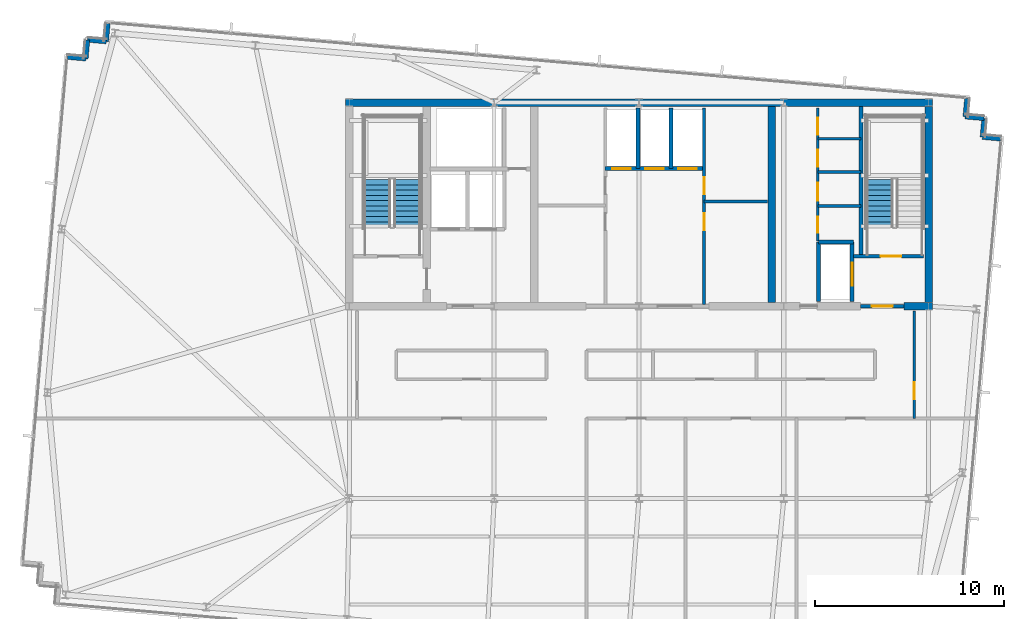
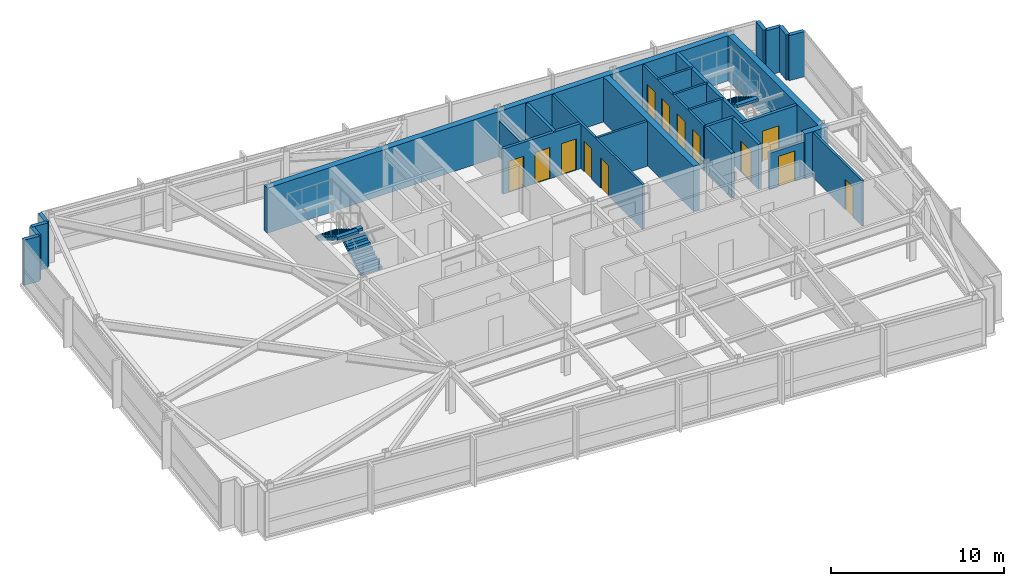
# One storey, part 19 of 24: 28 walls, 13 doors, 3 stair flights, 13 openings, 2 elements without a shape of their own.
"""IFC4 building model written with IfcOpenShell, lengths in metres."""

import ifcopenshell
import ifcopenshell.guid

model = None  # the IFC model being written
_history = None  # IfcOwnerHistory: only IFC2X3 demands one
_inside = {}  # id of a spatial element -> (the spatial element, [elements in it])
_under = {}  # id of a project, library or spatial element -> (it, [spatial elements below it])
_declared = {}  # id of a project -> (the project, [libraries it declares])
_typed = {}  # id of a type object -> (the type object, [elements of that type])
_made_of = {}  # id of a material, layer set ... -> (it, [elements and type objects made of it])


def new_model(schema):
    """Start an empty IFC model of exactly this schema.

    Asked for "IFC4X3", IfcOpenShell would pick the latest addendum, in which some entities
    have other attributes; the version numbers below select the first issue.
    IFC2X3 requires an IfcOwnerHistory on every rooted entity: one is made here for all.
    """
    global model, _history
    if schema == "IFC4X3":
        model = ifcopenshell.file(schema_version=(4, 3, 0, 0))
    else:
        model = ifcopenshell.file(schema=schema)
    _inside.clear()
    _under.clear()
    _declared.clear()
    _typed.clear()
    _made_of.clear()
    _history = None
    if model.schema == "IFC2X3":
        org = make("IfcOrganization", Name="unknown")
        user = make(
            "IfcPersonAndOrganization",
            ThePerson=make("IfcPerson", FamilyName="unknown"),
            TheOrganization=org,
        )
        app = make(
            "IfcApplication",
            ApplicationDeveloper=org,
            Version="unknown",
            ApplicationFullName="unknown",
            ApplicationIdentifier="unknown",
        )
        _history = make(
            "IfcOwnerHistory",
            OwningUser=user,
            OwningApplication=app,
            ChangeAction="ADDED",
            CreationDate=0,
        )
    return model


def make(cls, **values):
    """One entity of the class cls with the attributes given. An attribute that is None is left unset."""
    return model.create_entity(
        cls, **{name: value for name, value in values.items() if value is not None}
    )


def rooted(cls, **values):
    """An entity with a GlobalId (a new one), such as an element, a storey or a relation."""
    return make(cls, GlobalId=ifcopenshell.guid.new(), OwnerHistory=_history, **values)


def si_unit(unit_type, name, prefix=None):
    """IfcSIUnit, for example si_unit("LENGTHUNIT", "METRE", prefix="MILLI")."""
    return make("IfcSIUnit", UnitType=unit_type, Prefix=prefix, Name=name)


def assignment(units):
    """IfcUnitAssignment: the units of a project."""
    return None if units is None else make("IfcUnitAssignment", Units=units)


def point(xyz):
    """IfcCartesianPoint."""
    return None if xyz is None else make("IfcCartesianPoint", Coordinates=xyz)


def direction(xyz):
    """IfcDirection."""
    return None if xyz is None else make("IfcDirection", DirectionRatios=xyz)


def frame(location, z_axis=None, x_axis=None):
    """IfcAxis2Placement3D, a coordinate frame: its origin and axes. An axis left out is left unset."""
    return make(
        "IfcAxis2Placement3D",
        Location=point(location),
        Axis=direction(z_axis),
        RefDirection=direction(x_axis),
    )


def frame_2d(location, x_axis=None):
    """IfcAxis2Placement2D, a coordinate frame in the plane: its origin and x axis."""
    return make(
        "IfcAxis2Placement2D", Location=point(location), RefDirection=direction(x_axis)
    )


def origin():
    """The frame at (0, 0, 0) with its axes left unset."""
    return frame((0.0, 0.0, 0.0))


def place(relative_to, where):
    """IfcLocalPlacement: puts the frame where relative to a parent placement (None: the world)."""
    return make(
        "IfcLocalPlacement", PlacementRelTo=relative_to, RelativePlacement=where
    )


def context(
    kind, dimensions, precision=None, world=None, true_north=None, identifier=None
):
    """IfcGeometricRepresentationContext, for example the 3D "Model" context."""
    return make(
        "IfcGeometricRepresentationContext",
        ContextIdentifier=identifier,
        ContextType=kind,
        CoordinateSpaceDimension=dimensions,
        Precision=precision,
        WorldCoordinateSystem=world,
        TrueNorth=true_north,
    )


def subcontext(parent, identifier, kind, view, scale=None):
    """IfcGeometricRepresentationSubContext, for example "Body" below "Model"."""
    return make(
        "IfcGeometricRepresentationSubContext",
        ContextIdentifier=identifier,
        ContextType=kind,
        ParentContext=parent,
        TargetScale=scale,
        TargetView=view,
    )


def project(units=None, contexts=None):
    """IfcProject with its units and contexts."""
    return rooted(
        "IfcProject",
        Name="project",
        RepresentationContexts=contexts,
        UnitsInContext=assignment(units),
    )


def spatial(cls, under=None, at=None, **own):
    """A site, building, storey or space (cls), placed at a placement, below another one or the project."""
    s = rooted(cls, ObjectPlacement=at, **own)
    if under is not None:
        _under.setdefault(under.id(), (under, []))[1].append(s)
    return s


def polyline(points):
    """IfcPolyline through the points."""
    return make("IfcPolyline", Points=[point(p) for p in points])


def profile(cls, at=None, kind="AREA", **sizes):
    """A parametric profile (cls). Its sizes go by their IFC names, for example OverallWidth=200.0."""
    return make(cls, ProfileType=kind, Position=at, **sizes)


def rectangle(**sizes):
    """IfcRectangleProfileDef."""
    return profile("IfcRectangleProfileDef", **sizes)


def outline(outer, holes=None, kind="AREA"):
    """IfcArbitraryClosedProfileDef: a profile drawn as a closed curve; with holes, ...WithVoids."""
    if holes is None:
        return make("IfcArbitraryClosedProfileDef", ProfileType=kind, OuterCurve=outer)
    return make(
        "IfcArbitraryProfileDefWithVoids",
        ProfileType=kind,
        OuterCurve=outer,
        InnerCurves=holes,
    )


def extrude(swept, where, along, depth):
    """IfcExtrudedAreaSolid: the profile swept, set in the frame where, extruded along a direction by depth."""
    return make(
        "IfcExtrudedAreaSolid",
        SweptArea=swept,
        Position=where,
        ExtrudedDirection=direction(along),
        Depth=depth,
    )


def shape(context_of_items, identifier, shape_type, items):
    """IfcShapeRepresentation: the items that make up one representation, for example the "Body"."""
    return make(
        "IfcShapeRepresentation",
        ContextOfItems=context_of_items,
        RepresentationIdentifier=identifier,
        RepresentationType=shape_type,
        Items=items,
    )


def material(Name=None, Category=None):
    """IfcMaterial."""
    return make("IfcMaterial", Name=Name, Category=Category)


def layer(
    of_material, thickness, ventilated=None, Name=None, Category=None, Priority=None
):
    """IfcMaterialLayer: one layer of a wall or slab, of a material (None: an air gap)."""
    return make(
        "IfcMaterialLayer",
        Material=of_material,
        LayerThickness=thickness,
        IsVentilated=ventilated,
        Name=Name,
        Category=Category,
        Priority=Priority,
    )


def layer_set(layers, Name=None):
    """IfcMaterialLayerSet."""
    return make("IfcMaterialLayerSet", MaterialLayers=layers, LayerSetName=Name)


def made_of(thing, what):
    """Note that an element or type object is made of a material, layer set ...; save() writes the relation."""
    if what is not None:
        _made_of.setdefault(what.id(), (what, []))[1].append(thing)
    return thing


def type_object(cls, material=None, **own):
    """A type object (cls), such as IfcWallType, which elements share."""
    return made_of(rooted(cls, **own), material)


def element(
    cls,
    number,
    at=None,
    inside=None,
    cuts=None,
    type_object=None,
    material=None,
    context=None,
    identifier="Body",
    shape_type=None,
    held_by="IfcProductDefinitionShape",
    body=None,
    shapes=None,
    **own,
):
    """One element of the class cls, such as IfcWall. Its Tag is "e" and its number.

    at: its placement. inside: the storey or other place that contains it. cuts: it is an
    opening in that element (IfcRelVoidsElement). A single representation is given by context,
    identifier, shape_type and body (its items); several are given by shapes. held_by: the class
    of the entity that holds the representations. save() writes the other relations.
    """
    e = rooted(cls, Tag="e%d" % number, ObjectPlacement=at, **own)
    if body is not None:
        shapes = [shape(context, identifier, shape_type, body)]
    if shapes is not None:
        e.Representation = make(held_by, Representations=shapes)
    if inside is not None:
        _inside.setdefault(inside.id(), (inside, []))[1].append(e)
    if cuts is not None:
        rooted(
            "IfcRelVoidsElement", RelatingBuildingElement=cuts, RelatedOpeningElement=e
        )
    if type_object is not None:
        _typed.setdefault(type_object.id(), (type_object, []))[1].append(e)
    return made_of(e, material)


def fill(opening, filler):
    """IfcRelFillsElement: the door or window that sits in an opening."""
    return rooted(
        "IfcRelFillsElement",
        RelatingOpeningElement=opening,
        RelatedBuildingElement=filler,
    )


def aggregate(whole, parts):
    """IfcRelAggregates: a whole, such as a stair, and the parts it consists of."""
    return rooted("IfcRelAggregates", RelatingObject=whole, RelatedObjects=parts)


def save(model, path):
    """Write the relations noted so far, then the file.

    IfcRelAggregates (storeys below a building ...), IfcRelContainedInSpatialStructure (elements
    in a storey), IfcRelDefinesByType, IfcRelAssociatesMaterial and IfcRelDeclares: one each for
    every whole, place, type object, material and project.
    """
    for whole, parts in _under.values():
        aggregate(whole, parts)
    for where, things in _inside.values():
        rooted(
            "IfcRelContainedInSpatialStructure",
            RelatedElements=things,
            RelatingStructure=where,
        )
    for kind, things in _typed.values():
        rooted("IfcRelDefinesByType", RelatedObjects=things, RelatingType=kind)
    for what, things in _made_of.values():
        rooted("IfcRelAssociatesMaterial", RelatedObjects=things, RelatingMaterial=what)
    for by, libraries in _declared.values():
        rooted("IfcRelDeclares", RelatingContext=by, RelatedDefinitions=libraries)
    model.write(path)


model = new_model("IFC4")

# Units and contexts
model_context = context("Model", 3, precision=1e-05, world=origin(), true_north=direction((0.0, 1.0)))
body_context = subcontext(model_context, "Body", "Model", "MODEL_VIEW")
ifc_project = project(units=[si_unit("LENGTHUNIT", "METRE"), si_unit("AREAUNIT", "SQUARE_METRE"), si_unit("VOLUMEUNIT", "CUBIC_METRE"), si_unit("PLANEANGLEUNIT", "RADIAN"), si_unit("MASSUNIT", "GRAM", prefix="KILO")], contexts=[model_context])

# Site, building, storey
site_placement = place(None, origin())
site = spatial("IfcSite", under=ifc_project, at=site_placement, CompositionType="ELEMENT")
building_placement = place(site_placement, origin())
building = spatial("IfcBuilding", under=site, at=building_placement, Name="Yelkora Congress Tower", CompositionType="ELEMENT")
storey_placement = place(building_placement, frame((0.0, 0.0, 296.5)))
storey = spatial("IfcBuildingStorey", under=building, at=storey_placement, Name="L83", CompositionType="ELEMENT", Elevation=296.5)

# Walls
ifc_material_1 = material(Name="Concrete C50/60", Category="concrete")
ifc_layer_1 = layer(ifc_material_1, 0.219970703125)
ifc_layer_set_1 = layer_set([ifc_layer_1], Name="Concrete C50/60")
wall_type_1 = type_object("IfcWallType", Name="WALL-CORE-INT-220", PredefinedType="SHEAR", material=ifc_layer_set_1)
wall_1_placement = place(storey_placement, frame((50.179931640625, 38.050048828125, 0.0), z_axis=(0.0, 0.0, 1.0), x_axis=(0.0, 1.0, 0.0)))
element("IfcWall", 1, at=wall_1_placement, inside=storey, type_object=wall_type_1, Name="L83 ST02 West Stair Shear Wall", PredefinedType="SHEAR", context=body_context, shape_type="SweptSolid", body=[
    extrude(rectangle(XDim=7.949951171875, YDim=0.219970703125, at=frame_2d((3.97509765625, 0.0))), origin(), (0.0, 0.0, 1.0), 3.179931640625),
])
ifc_layer_2 = layer(ifc_material_1, 0.39990234375)
ifc_layer_set_2 = layer_set([ifc_layer_2], Name="Concrete C50/60")
wall_type_2 = type_object("IfcWallType", Name="WALL-CORE-INT-400", PredefinedType="SHEAR", material=ifc_layer_set_2)
wall_2_placement = place(storey_placement, frame((22.840087890625, 46.199951171875, 0.0), z_axis=(0.0, 0.0, 1.0), x_axis=(1.0, 0.0, 0.0)))
element("IfcWall", 2, at=wall_2_placement, inside=storey, type_object=wall_type_2, Name="L83 Rear Core North Shear Wall", PredefinedType="SHEAR", context=body_context, shape_type="SweptSolid", body=[
    extrude(rectangle(XDim=31.119873046875, YDim=0.39990234375, at=frame_2d((15.56005859375, 0.0))), origin(), (0.0, 0.0, 1.0), 3.179931640625),
])
wall_3_placement = place(storey_placement, frame((52.449951171875, 35.39990234375, 0.0), z_axis=(0.0, 0.0, 1.0), x_axis=(1.0, 0.0, 0.0)))
element("IfcWall", 3, at=wall_3_placement, inside=storey, type_object=wall_type_2, Name="L83 Rear Core South-East Shear Wall B", PredefinedType="SHEAR", context=body_context, shape_type="SweptSolid", body=[
    extrude(rectangle(XDim=1.510009765625, YDim=0.39990234375, at=frame_2d((0.7548828125, 0.0))), origin(), (0.0, 0.0, 1.0), 3.179931640625),
])
for number, where, z_axis, x_axis, name in (
    (4, (45.449951171875, 35.60009765625, 0.0), (0.0, 0.0, 1.0), (0.0, 1.0, 0.0), "L83 Rear Core Cross Shear Wall C3"),
    (5, (53.760009765625, 35.60009765625, 0.0), (0.0, 0.0, 1.0), (0.0, 1.0, 0.0), "L83 Rear Core Cross Shear Wall E"),
):
    element("IfcWall", number, at=place(storey_placement, frame(where, z_axis=z_axis, x_axis=x_axis)), inside=storey, type_object=wall_type_2, Name=name, PredefinedType="SHEAR", context=body_context, shape_type="SweptSolid", body=[
        extrude(rectangle(XDim=10.39990234375, YDim=0.39990234375, at=frame_2d((5.199951171875, 0.0))), origin(), (0.0, 0.0, 1.0), 3.179931640625),
    ])
ifc_material_2 = material(Name="Concrete C40/50", Category="concrete")
ifc_layer_3 = layer(ifc_material_2, 0.239990234375)
ifc_layer_set_3 = layer_set([ifc_layer_3], Name="Concrete C40/50")
wall_type_3 = type_object("IfcWallType", Name="WALL-EXT-LIMESTONE-240", PredefinedType="SOLIDWALL", material=ifc_layer_set_3)
for number, where, z_axis, x_axis, name in (
    (6, (8.0732421875, 48.609619140625, 0.0), (0.0, 0.0, 1.0), (0.996195572005, -0.087145753297, 0.0), "L83 Serrated Corner Limestone Pier 6"),
    (7, (9.069580078125, 48.5224609375, 0.0), (0.0, 0.0, 1.0), (0.087145753297, 0.996195572005, 0.0), "L83 Serrated Corner Limestone Pier 7"),
):
    element("IfcWall", number, at=place(storey_placement, frame(where, z_axis=z_axis, x_axis=x_axis)), inside=storey, type_object=wall_type_3, Name=name, PredefinedType="SOLIDWALL", context=body_context, shape_type="SweptSolid", body=[
        extrude(rectangle(XDim=1.000244140625, YDim=0.239990234375, at=frame_2d((0.5, 0.0))), origin(), (0.0, 0.0, 1.0), 3.179931640625),
    ])
for number, where, z_axis, x_axis, name in (
    (8, (9.15673828125, 49.518798828125, 0.0), (0.0, 0.0, 1.0), (0.996193717496, -0.087166950281, 0.0), "L83 Serrated Corner Limestone Pier 8"),
    (9, (10.15283203125, 49.431640625, 0.0), (0.0, 0.0, 1.0), (0.087166950281, 0.996193717496, 0.0), "L83 Serrated Corner Limestone Pier 9"),
    (10, (55.785888671875, 46.443115234375, 0.0), (0.0, 0.0, 1.0), (-0.086903493655, -0.996216734848, 0.0), "L83 Serrated Corner Limestone Pier 11"),
    (11, (55.698974609375, 45.44677734375, 0.0), (0.0, 0.0, 1.0), (0.996193717496, -0.087166950281, 0.0), "L83 Serrated Corner Limestone Pier 12"),
    (12, (56.695068359375, 45.359619140625, 0.0), (0.0, 0.0, 1.0), (-0.087166950281, -0.996193717496, 0.0), "L83 Serrated Corner Limestone Pier 13"),
    (13, (56.60791015625, 44.363525390625, 0.0), (0.0, 0.0, 1.0), (0.996193717496, -0.087166950281, 0.0), "L83 Serrated Corner Limestone Pier 14"),
):
    element("IfcWall", number, at=place(storey_placement, frame(where, z_axis=z_axis, x_axis=x_axis)), inside=storey, type_object=wall_type_3, Name=name, PredefinedType="SOLIDWALL", context=body_context, shape_type="SweptSolid", body=[
        extrude(rectangle(XDim=1.0, YDim=0.239990234375, at=frame_2d((0.5, 0.0))), origin(), (0.0, 0.0, 1.0), 3.179931640625),
    ])
ifc_material_3 = material(Name="Acoustic metal-stud gypsum partition", Category="gypsum")
ifc_layer_4 = layer(ifc_material_3, 0.14990234375)
ifc_layer_set_4 = layer_set([ifc_layer_4], Name="Acoustic metal-stud gypsum partition")
wall_type_4 = type_object("IfcWallType", Name="WALL-INT-150-NR", PredefinedType="PARTITIONING", material=ifc_layer_set_4)
for number, where, z_axis, x_axis, name in (
    (14, (47.8798828125, 40.719970703125, 0.0), (0.0, 0.0, 1.0), (1.0, 0.0, 0.0), "L83 Partition Wall 20"),
    (15, (47.8798828125, 42.52001953125, 0.0), (0.0, 0.0, 1.0), (1.0, 0.0, 0.0), "L83 Partition Wall 21"),
    (16, (47.8798828125, 44.280029296875, 0.0), (0.0, 0.0, 1.0), (1.0, 0.0, 0.0), "L83 Partition Wall 22"),
):
    element("IfcWall", number, at=place(storey_placement, frame(where, z_axis=z_axis, x_axis=x_axis)), inside=storey, type_object=wall_type_4, Name=name, PredefinedType="PARTITIONING", context=body_context, shape_type="SweptSolid", body=[
        extrude(rectangle(XDim=2.300048828125, YDim=0.14990234375, at=frame_2d((1.14990234375, 0.0))), origin(), (0.0, 0.0, 1.0), 3.179931640625),
    ])

# Wall, openings, doors
wall_4_placement = place(storey_placement, frame((47.8798828125, 38.85009765625, 0.0), z_axis=(0.0, 0.0, 1.0), x_axis=(0.0, 1.0, 0.0)))
wall_4 = element("IfcWall", 17, at=wall_4_placement, inside=storey, type_object=wall_type_4, Name="L83 Partition Wall 23", PredefinedType="PARTITIONING", context=body_context, shape_type="SweptSolid", body=[
    extrude(rectangle(XDim=7.06982421875, YDim=0.14990234375, at=frame_2d((3.534912109375, 0.0))), origin(), (0.0, 0.0, 1.0), 3.179931640625),
])
opening_1_placement = place(wall_4_placement, frame((0.449951171875, 0.0, 0.0)))
opening_1 = element("IfcOpeningElement", 18, at=opening_1_placement, cuts=wall_4, Name="Opening DR-085N", PredefinedType="OPENING", context=body_context, shape_type="SweptSolid", body=[
    extrude(rectangle(XDim=0.85009765625, YDim=2.14990234375, at=frame_2d((0.425048828125, 1.074951171875))), frame((0.0, 0.0849609375, 0.0), z_axis=(0.0, -1.0, 0.0), x_axis=(1.0, 0.0, 0.0)), (0.0, 0.0, 1.0), 0.169921875),
])
opening_2_placement = place(wall_4_placement, frame((2.14990234375, 0.0, 0.0)))
opening_2 = element("IfcOpeningElement", 19, at=opening_2_placement, cuts=wall_4, Name="Opening DR-095N", PredefinedType="OPENING", context=body_context, shape_type="SweptSolid", body=[
    extrude(rectangle(XDim=0.949951171875, YDim=2.14990234375, at=frame_2d((0.47509765625, 1.074951171875))), frame((0.0, 0.0849609375, 0.0), z_axis=(0.0, -1.0, 0.0), x_axis=(1.0, 0.0, 0.0)), (0.0, 0.0, 1.0), 0.169921875),
])
opening_3_placement = place(wall_4_placement, frame((3.949951171875, 0.0, 0.0)))
opening_3 = element("IfcOpeningElement", 20, at=opening_3_placement, cuts=wall_4, Name="Opening DR-090N", PredefinedType="OPENING", context=body_context, shape_type="SweptSolid", body=[
    extrude(rectangle(XDim=0.89990234375, YDim=2.14990234375, at=frame_2d((0.449951171875, 1.074951171875))), frame((0.0, 0.0849609375, 0.0), z_axis=(0.0, -1.0, 0.0), x_axis=(1.0, 0.0, 0.0)), (0.0, 0.0, 1.0), 0.169921875),
])
opening_4_placement = place(wall_4_placement, frame((5.64990234375, 0.0, 0.0)))
opening_4 = element("IfcOpeningElement", 21, at=opening_4_placement, cuts=wall_4, Name="Opening DR-090N", PredefinedType="OPENING", context=body_context, shape_type="SweptSolid", body=[
    extrude(rectangle(XDim=0.89990234375, YDim=2.14990234375, at=frame_2d((0.449951171875, 1.074951171875))), frame((0.0, 0.0849609375, 0.0), z_axis=(0.0, -1.0, 0.0), x_axis=(1.0, 0.0, 0.0)), (0.0, 0.0, 1.0), 0.169921875),
])
ifc_material_4 = material(Name="Laminate service store door leaf", Category="wood")
door_type_1 = type_object("IfcDoorType", Name="DOOR-INT-850", OperationType="NOTDEFINED", PredefinedType="DOOR", material=ifc_material_4)
door_1_placement = place(opening_1_placement, origin())
door_1 = element("IfcDoor", 22, at=door_1_placement, inside=storey, type_object=door_type_1, Name="L83 Janitor Room Door", OperationType="SINGLE_SWING_LEFT", OverallHeight=2.14990234375, OverallWidth=0.85009765625, PredefinedType="DOOR", context=body_context, shape_type="SweptSolid", body=[
    extrude(rectangle(XDim=0.85009765625, YDim=2.14990234375, at=frame_2d((0.425048828125, 1.074951171875))), frame((0.0, 0.02490234375, 0.0), z_axis=(0.0, -1.0, 0.0), x_axis=(1.0, 0.0, 0.0)), (0.0, 0.0, 1.0), 0.050048828125),
])
fill(opening_1, door_1)
ifc_material_5 = material(Name="Moisture-resistant laminate door leaf", Category="wood")
door_type_2 = type_object("IfcDoorType", Name="DOOR-INT-900", OperationType="NOTDEFINED", PredefinedType="DOOR", material=ifc_material_5)
door_2_placement = place(opening_3_placement, origin())
door_2 = element("IfcDoor", 23, at=door_2_placement, inside=storey, type_object=door_type_2, Name="L83 Male WC Door", OperationType="SINGLE_SWING_LEFT", OverallHeight=2.14990234375, OverallWidth=0.89990234375, PredefinedType="DOOR", context=body_context, shape_type="SweptSolid", body=[
    extrude(rectangle(XDim=0.89990234375, YDim=2.14990234375, at=frame_2d((0.449951171875, 1.074951171875))), frame((0.0, 0.02490234375, 0.0), z_axis=(0.0, -1.0, 0.0), x_axis=(1.0, 0.0, 0.0)), (0.0, 0.0, 1.0), 0.050048828125),
])
fill(opening_3, door_2)
door_3_placement = place(opening_4_placement, origin())
door_3 = element("IfcDoor", 24, at=door_3_placement, inside=storey, type_object=door_type_2, Name="L83 Female WC Door", OperationType="SINGLE_SWING_RIGHT", OverallHeight=2.14990234375, OverallWidth=0.89990234375, PredefinedType="DOOR", context=body_context, shape_type="SweptSolid", body=[
    extrude(rectangle(XDim=0.89990234375, YDim=2.14990234375, at=frame_2d((0.449951171875, 1.074951171875))), frame((0.0, 0.02490234375, 0.0), z_axis=(0.0, -1.0, 0.0), x_axis=(1.0, 0.0, 0.0)), (0.0, 0.0, 1.0), 0.050048828125),
])
fill(opening_4, door_3)
ifc_material_6 = material(Name="Acoustic laminated timber office door", Category="wood")
door_type_3 = type_object("IfcDoorType", Name="DOOR-INT-950", OperationType="NOTDEFINED", PredefinedType="DOOR", material=ifc_material_6)
door_4_placement = place(opening_2_placement, origin())
door_4 = element("IfcDoor", 25, at=door_4_placement, inside=storey, type_object=door_type_3, Name="L83 Accessible WC Door", OperationType="SINGLE_SWING_RIGHT", OverallHeight=2.14990234375, OverallWidth=0.949951171875, PredefinedType="DOOR", context=body_context, shape_type="SweptSolid", body=[
    extrude(rectangle(XDim=0.949951171875, YDim=2.14990234375, at=frame_2d((0.47509765625, 1.074951171875))), frame((0.0, 0.02490234375, 0.0), z_axis=(0.0, -1.0, 0.0), x_axis=(1.0, 0.0, 0.0)), (0.0, 0.0, 1.0), 0.050048828125),
])
fill(opening_2, door_4)

# Wall, opening, door
wall_5_placement = place(storey_placement, frame((53.0, 29.449951171875, 0.0), z_axis=(0.0, 0.0, 1.0), x_axis=(0.0, 1.0, 0.0)))
wall_5 = element("IfcWall", 26, at=wall_5_placement, inside=storey, type_object=wall_type_4, Name="L83 Partition Wall 30", PredefinedType="PARTITIONING", context=body_context, shape_type="SweptSolid", body=[
    extrude(rectangle(XDim=5.68994140625, YDim=0.14990234375, at=frame_2d((2.844970703125, 0.0))), origin(), (0.0, 0.0, 1.0), 3.179931640625),
])
opening_5_placement = place(wall_5_placement, frame((1.030029296875, 0.0, 0.0)))
opening_5 = element("IfcOpeningElement", 27, at=opening_5_placement, cuts=wall_5, Name="Opening DR-090N", PredefinedType="OPENING", context=body_context, shape_type="SweptSolid", body=[
    extrude(rectangle(XDim=0.89990234375, YDim=2.14990234375, at=frame_2d((0.449951171875, 1.074951171875))), frame((0.0, 0.0849609375, 0.0), z_axis=(0.0, -1.0, 0.0), x_axis=(1.0, 0.0, 0.0)), (0.0, 0.0, 1.0), 0.169921875),
])
door_5_placement = place(opening_5_placement, origin())
door_5 = element("IfcDoor", 28, at=door_5_placement, inside=storey, type_object=door_type_2, Name="L83 E Wing Door", OperationType="SINGLE_SWING_RIGHT", OverallHeight=2.14990234375, OverallWidth=0.89990234375, PredefinedType="DOOR", context=body_context, shape_type="SweptSolid", body=[
    extrude(rectangle(XDim=0.89990234375, YDim=2.14990234375, at=frame_2d((0.449951171875, 1.074951171875))), frame((0.0, 0.02490234375, 0.0), z_axis=(0.0, -1.0, 0.0), x_axis=(1.0, 0.0, 0.0)), (0.0, 0.0, 1.0), 0.050048828125),
])
fill(opening_5, door_5)

# Wall
ifc_material_7 = material(Name="Twin-stud fire-rated gypsum partition", Category="gypsum")
ifc_layer_5 = layer(ifc_material_7, 0.14990234375)
ifc_layer_set_5 = layer_set([ifc_layer_5], Name="Twin-stud fire-rated gypsum partition")
wall_type_5 = type_object("IfcWallType", Name="WALL-INT-150-R60", PredefinedType="PARTITIONING", material=ifc_layer_set_5)
wall_6_placement = place(storey_placement, frame((41.85009765625, 40.949951171875, 0.0), z_axis=(0.0, 0.0, 1.0), x_axis=(1.0, 0.0, 0.0)))
element("IfcWall", 29, at=wall_6_placement, inside=storey, type_object=wall_type_5, Name="L83 Partition Wall 13", PredefinedType="PARTITIONING", context=body_context, shape_type="SweptSolid", body=[
    extrude(rectangle(XDim=3.369873046875, YDim=0.14990234375, at=frame_2d((1.68505859375, 0.0))), origin(), (0.0, 0.0, 1.0), 3.179931640625),
])

# Wall, openings, doors
wall_7_placement = place(storey_placement, frame((41.85009765625, 35.5, 0.0), z_axis=(0.0, 0.0, 1.0), x_axis=(0.0, 1.0, 0.0)))
wall_7 = element("IfcWall", 30, at=wall_7_placement, inside=storey, type_object=wall_type_5, Name="L83 Partition Wall 14", PredefinedType="PARTITIONING", context=body_context, shape_type="SweptSolid", body=[
    extrude(rectangle(XDim=10.419921875, YDim=0.14990234375, at=frame_2d((5.2099609375, 0.0))), origin(), (0.0, 0.0, 1.0), 3.179931640625),
])
opening_6_placement = place(wall_7_placement, frame((3.919921875, 0.0, 0.0)))
opening_6 = element("IfcOpeningElement", 31, at=opening_6_placement, cuts=wall_7, Name="Opening DR-090F6", PredefinedType="OPENING", context=body_context, shape_type="SweptSolid", body=[
    extrude(rectangle(XDim=0.89990234375, YDim=2.14990234375, at=frame_2d((0.449951171875, 1.074951171875))), frame((0.0, 0.0849609375, 0.0), z_axis=(0.0, -1.0, 0.0), x_axis=(1.0, 0.0, 0.0)), (0.0, 0.0, 1.0), 0.169921875),
])
opening_7_placement = place(wall_7_placement, frame((5.85009765625, 0.0, 0.0)))
opening_7 = element("IfcOpeningElement", 32, at=opening_7_placement, cuts=wall_7, Name="Opening DR-090F6", PredefinedType="OPENING", context=body_context, shape_type="SweptSolid", body=[
    extrude(rectangle(XDim=0.89990234375, YDim=2.14990234375, at=frame_2d((0.449951171875, 1.074951171875))), frame((0.0, 0.0849609375, 0.0), z_axis=(0.0, -1.0, 0.0), x_axis=(1.0, 0.0, 0.0)), (0.0, 0.0, 1.0), 0.169921875),
])
ifc_material_8 = material(Name="Painted steel riser fire door leaf", Category="steel")
door_type_4 = type_object("IfcDoorType", Name="DOOR-FD60-900", OperationType="NOTDEFINED", PredefinedType="DOOR", material=ifc_material_8)
door_6_placement = place(opening_6_placement, origin())
door_6 = element("IfcDoor", 33, at=door_6_placement, inside=storey, type_object=door_type_4, Name="L83 High-Zone BMS Door", OperationType="SINGLE_SWING_RIGHT", OverallHeight=2.14990234375, OverallWidth=0.89990234375, PredefinedType="DOOR", context=body_context, shape_type="SweptSolid", body=[
    extrude(rectangle(XDim=0.89990234375, YDim=2.14990234375, at=frame_2d((0.449951171875, 1.074951171875))), frame((0.0, 0.02490234375, 0.0), z_axis=(0.0, -1.0, 0.0), x_axis=(1.0, 0.0, 0.0)), (0.0, 0.0, 1.0), 0.050048828125),
])
fill(opening_6, door_6)
door_7_placement = place(opening_7_placement, origin())
door_7 = element("IfcDoor", 34, at=door_7_placement, inside=storey, type_object=door_type_4, Name="L83 Linen Store Door", OperationType="SINGLE_SWING_LEFT", OverallHeight=2.14990234375, OverallWidth=0.89990234375, PredefinedType="DOOR", context=body_context, shape_type="SweptSolid", body=[
    extrude(rectangle(XDim=0.89990234375, YDim=2.14990234375, at=frame_2d((0.449951171875, 1.074951171875))), frame((0.0, 0.02490234375, 0.0), z_axis=(0.0, -1.0, 0.0), x_axis=(1.0, 0.0, 0.0)), (0.0, 0.0, 1.0), 0.050048828125),
])
fill(opening_7, door_7)

ifc_material_9 = material(Name="Autoclaved aerated concrete blockwork", Category="masonry")
ifc_layer_6 = layer(ifc_material_9, 0.199951171875)
ifc_layer_set_6 = layer_set([ifc_layer_6], Name="Autoclaved aerated concrete blockwork")
wall_type_6 = type_object("IfcWallType", Name="WALL-INT-200-R120", PredefinedType="PARTITIONING", material=ifc_layer_set_6)
wall_8_placement = place(storey_placement, frame((36.60009765625, 42.699951171875, 0.0), z_axis=(0.0, 0.0, 1.0), x_axis=(1.0, 0.0, 0.0)))
wall_8 = element("IfcWall", 35, at=wall_8_placement, inside=storey, type_object=wall_type_6, Name="L83 Partition Wall 8", PredefinedType="PARTITIONING", context=body_context, shape_type="SweptSolid", body=[
    extrude(rectangle(XDim=5.25, YDim=0.199951171875, at=frame_2d((2.625, 0.0))), origin(), (0.0, 0.0, 1.0), 3.179931640625),
])
opening_8_placement = place(wall_8_placement, frame((0.375, 0.0, 0.0)))
opening_8 = element("IfcOpeningElement", 36, at=opening_8_placement, cuts=wall_8, Name="Opening LD-PS10", PredefinedType="OPENING", context=body_context, shape_type="SweptSolid", body=[
    extrude(rectangle(XDim=1.0, YDim=2.199951171875, at=frame_2d((0.5, 1.10009765625))), frame((0.0, 0.10986328125, 0.0), z_axis=(0.0, -1.0, 0.0), x_axis=(1.0, 0.0, 0.0)), (0.0, 0.0, 1.0), 0.219970703125),
])
opening_9_placement = place(wall_8_placement, frame((2.125, 0.0, 0.0)))
opening_9 = element("IfcOpeningElement", 37, at=opening_9_placement, cuts=wall_8, Name="Opening LD-PS10", PredefinedType="OPENING", context=body_context, shape_type="SweptSolid", body=[
    extrude(rectangle(XDim=1.0, YDim=2.199951171875, at=frame_2d((0.5, 1.10009765625))), frame((0.0, 0.10986328125, 0.0), z_axis=(0.0, -1.0, 0.0), x_axis=(1.0, 0.0, 0.0)), (0.0, 0.0, 1.0), 0.219970703125),
])
opening_10_placement = place(wall_8_placement, frame((3.875, 0.0, 0.0)))
opening_10 = element("IfcOpeningElement", 38, at=opening_10_placement, cuts=wall_8, Name="Opening LD-PS10", PredefinedType="OPENING", context=body_context, shape_type="SweptSolid", body=[
    extrude(rectangle(XDim=1.0, YDim=2.199951171875, at=frame_2d((0.5, 1.10009765625))), frame((0.0, 0.10986328125, 0.0), z_axis=(0.0, -1.0, 0.0), x_axis=(1.0, 0.0, 0.0)), (0.0, 0.0, 1.0), 0.219970703125),
])
ifc_material_10 = material(Name="Champagne stainless steel landing door", Category="steel")
door_type_5 = type_object("IfcDoorType", Name="DOOR-LIFT-PAS-1000", OperationType="DOUBLE_DOOR_SLIDING", PredefinedType="DOOR", material=ifc_material_10)
door_8_placement = place(opening_8_placement, origin())
door_8 = element("IfcDoor", 39, at=door_8_placement, inside=storey, type_object=door_type_5, Name="Lift Landing Door LF-P9 L83", OperationType="DOUBLE_DOOR_SLIDING", OverallHeight=2.199951171875, OverallWidth=1.0, PredefinedType="DOOR", context=body_context, shape_type="SweptSolid", body=[
    extrude(rectangle(XDim=1.0, YDim=2.199951171875, at=frame_2d((0.5, 1.10009765625))), frame((0.0, 0.02490234375, 0.0), z_axis=(0.0, -1.0, 0.0), x_axis=(1.0, 0.0, 0.0)), (0.0, 0.0, 1.0), 0.050048828125),
])
fill(opening_8, door_8)
door_9_placement = place(opening_9_placement, origin())
door_9 = element("IfcDoor", 40, at=door_9_placement, inside=storey, type_object=door_type_5, Name="Lift Landing Door LF-P10 L83", OperationType="DOUBLE_DOOR_SLIDING", OverallHeight=2.199951171875, OverallWidth=1.0, PredefinedType="DOOR", context=body_context, shape_type="SweptSolid", body=[
    extrude(rectangle(XDim=1.0, YDim=2.199951171875, at=frame_2d((0.5, 1.10009765625))), frame((0.0, 0.02490234375, 0.0), z_axis=(0.0, -1.0, 0.0), x_axis=(1.0, 0.0, 0.0)), (0.0, 0.0, 1.0), 0.050048828125),
])
fill(opening_9, door_9)
door_10_placement = place(opening_10_placement, origin())
door_10 = element("IfcDoor", 41, at=door_10_placement, inside=storey, type_object=door_type_5, Name="Lift Landing Door LF-P11 L83", OperationType="DOUBLE_DOOR_SLIDING", OverallHeight=2.199951171875, OverallWidth=1.0, PredefinedType="DOOR", context=body_context, shape_type="SweptSolid", body=[
    extrude(rectangle(XDim=1.0, YDim=2.199951171875, at=frame_2d((0.5, 1.10009765625))), frame((0.0, 0.02490234375, 0.0), z_axis=(0.0, -1.0, 0.0), x_axis=(1.0, 0.0, 0.0)), (0.0, 0.0, 1.0), 0.050048828125),
])
fill(opening_10, door_10)

# Walls
wall_9_placement = place(storey_placement, frame((38.35009765625, 42.699951171875, 0.0), z_axis=(0.0, 0.0, 1.0), x_axis=(0.0, 1.0, 0.0)))
element("IfcWall", 42, at=wall_9_placement, inside=storey, type_object=wall_type_6, Name="L83 Partition Wall 9", PredefinedType="PARTITIONING", context=body_context, shape_type="SweptSolid", body=[
    extrude(rectangle(XDim=3.219970703125, YDim=0.199951171875, at=frame_2d((1.60986328125, 0.0))), origin(), (0.0, 0.0, 1.0), 2.574951171875),
])
wall_10_placement = place(storey_placement, frame((40.10009765625, 42.699951171875, 0.0), z_axis=(0.0, 0.0, 1.0), x_axis=(0.0, 1.0, 0.0)))
element("IfcWall", 43, at=wall_10_placement, inside=storey, type_object=wall_type_6, Name="L83 Partition Wall 10", PredefinedType="PARTITIONING", context=body_context, shape_type="SweptSolid", body=[
    extrude(rectangle(XDim=3.219970703125, YDim=0.199951171875, at=frame_2d((1.60986328125, 0.0))), origin(), (0.0, 0.0, 1.0), 3.179931640625),
])

# Wall, opening, door
wall_11_placement = place(storey_placement, frame((49.780029296875, 38.050048828125, 0.0), z_axis=(0.0, 0.0, 1.0), x_axis=(1.0, 0.0, 0.0)))
wall_11 = element("IfcWall", 44, at=wall_11_placement, inside=storey, type_object=wall_type_6, Name="L83 Stair ST-02 Enclosure Wall", PredefinedType="PARTITIONING", context=body_context, shape_type="SweptSolid", body=[
    extrude(rectangle(XDim=3.719970703125, YDim=0.199951171875, at=frame_2d((1.85986328125, 0.0))), origin(), (0.0, 0.0, 1.0), 3.179931640625),
])
opening_11_placement = place(wall_11_placement, frame((1.436279296875, 0.0, 0.0)))
opening_11 = element("IfcOpeningElement", 45, at=opening_11_placement, cuts=wall_11, Name="Opening DR-110F9", PredefinedType="OPENING", context=body_context, shape_type="SweptSolid", body=[
    extrude(rectangle(XDim=1.10009765625, YDim=2.14990234375, at=frame_2d((0.550048828125, 1.074951171875))), frame((0.0, 0.10986328125, 0.0), z_axis=(0.0, -1.0, 0.0), x_axis=(1.0, 0.0, 0.0)), (0.0, 0.0, 1.0), 0.219970703125),
])
ifc_material_11 = material(Name="Galvanised steel fire door leaf", Category="steel")
door_type_6 = type_object("IfcDoorType", Name="DOOR-FD90-1100", OperationType="NOTDEFINED", PredefinedType="DOOR", material=ifc_material_11)
door_11_placement = place(opening_11_placement, origin())
door_11 = element("IfcDoor", 46, at=door_11_placement, inside=storey, type_object=door_type_6, Name="L83 Stair ST-02 Entry Door", OperationType="SINGLE_SWING_RIGHT", OverallHeight=2.14990234375, OverallWidth=1.10009765625, PredefinedType="DOOR", context=body_context, shape_type="SweptSolid", body=[
    extrude(rectangle(XDim=1.10009765625, YDim=2.14990234375, at=frame_2d((0.550048828125, 1.074951171875))), frame((0.0, 0.02490234375, 0.0), z_axis=(0.0, -1.0, 0.0), x_axis=(1.0, 0.0, 0.0)), (0.0, 0.0, 1.0), 0.050048828125),
])
fill(opening_11, door_11)

wall_12_placement = place(storey_placement, frame((50.14990234375, 35.39990234375, 0.0), z_axis=(0.0, 0.0, 1.0), x_axis=(1.0, 0.0, 0.0)))
wall_12 = element("IfcWall", 47, at=wall_12_placement, inside=storey, type_object=wall_type_6, Name="L83 Partition Wall 16", PredefinedType="PARTITIONING", context=body_context, shape_type="SweptSolid", body=[
    extrude(rectangle(XDim=2.300048828125, YDim=0.199951171875, at=frame_2d((1.14990234375, 0.0))), origin(), (0.0, 0.0, 1.0), 2.574951171875),
])
opening_12_placement = place(wall_12_placement, frame((0.60009765625, 0.0, 0.0)))
opening_12 = element("IfcOpeningElement", 48, at=opening_12_placement, cuts=wall_12, Name="Opening DR-110F9", PredefinedType="OPENING", context=body_context, shape_type="SweptSolid", body=[
    extrude(rectangle(XDim=1.10009765625, YDim=2.14990234375, at=frame_2d((0.550048828125, 1.074951171875))), frame((0.0, 0.10986328125, 0.0), z_axis=(0.0, -1.0, 0.0), x_axis=(1.0, 0.0, 0.0)), (0.0, 0.0, 1.0), 0.219970703125),
])
door_12_placement = place(opening_12_placement, origin())
door_12 = element("IfcDoor", 49, at=door_12_placement, inside=storey, type_object=door_type_6, Name="L83 East Stair Lobby Door", OperationType="SINGLE_SWING_LEFT", OverallHeight=2.14990234375, OverallWidth=1.10009765625, PredefinedType="DOOR", context=body_context, shape_type="SweptSolid", body=[
    extrude(rectangle(XDim=1.10009765625, YDim=2.14990234375, at=frame_2d((0.550048828125, 1.074951171875))), frame((0.0, 0.02490234375, 0.0), z_axis=(0.0, -1.0, 0.0), x_axis=(1.0, 0.0, 0.0)), (0.0, 0.0, 1.0), 0.050048828125),
])
fill(opening_12, door_12)

wall_13_placement = place(storey_placement, frame((49.699951171875, 35.64990234375, 0.0), z_axis=(0.0, 0.0, 1.0), x_axis=(0.0, 1.0, 0.0)))
wall_13 = element("IfcWall", 50, at=wall_13_placement, inside=storey, type_object=wall_type_6, Name="L83 Partition Wall 17", PredefinedType="PARTITIONING", context=body_context, shape_type="SweptSolid", body=[
    extrude(rectangle(XDim=3.150146484375, YDim=0.199951171875, at=frame_2d((1.5751953125, 0.0))), origin(), (0.0, 0.0, 1.0), 3.179931640625),
])
opening_13_placement = place(wall_13_placement, frame((0.85009765625, 0.0, 0.0)))
opening_13 = element("IfcOpeningElement", 51, at=opening_13_placement, cuts=wall_13, Name="Opening LD-SV12", PredefinedType="OPENING", context=body_context, shape_type="SweptSolid", body=[
    extrude(rectangle(XDim=1.199951171875, YDim=2.199951171875, at=frame_2d((0.60009765625, 1.10009765625))), frame((0.0, 0.10986328125, 0.0), z_axis=(0.0, -1.0, 0.0), x_axis=(1.0, 0.0, 0.0)), (0.0, 0.0, 1.0), 0.219970703125),
])
ifc_material_12 = material(Name="Heavy-duty stainless steel landing door", Category="steel")
door_type_7 = type_object("IfcDoorType", Name="DOOR-LIFT-SRV-1200", OperationType="DOUBLE_DOOR_SLIDING", PredefinedType="DOOR", material=ifc_material_12)
door_13_placement = place(opening_13_placement, origin())
door_13 = element("IfcDoor", 52, at=door_13_placement, inside=storey, type_object=door_type_7, Name="Service Lift Landing Door LF-SV1 L83", OperationType="DOUBLE_DOOR_SLIDING", OverallHeight=2.199951171875, OverallWidth=1.199951171875, PredefinedType="DOOR", context=body_context, shape_type="SweptSolid", body=[
    extrude(rectangle(XDim=1.199951171875, YDim=2.199951171875, at=frame_2d((0.60009765625, 1.10009765625))), frame((0.0, 0.02490234375, 0.0), z_axis=(0.0, -1.0, 0.0), x_axis=(1.0, 0.0, 0.0)), (0.0, 0.0, 1.0), 0.050048828125),
])
fill(opening_13, door_13)

# Walls
wall_14_placement = place(storey_placement, frame((47.919921875, 35.64990234375, 0.0), z_axis=(0.0, 0.0, 1.0), x_axis=(0.0, 1.0, 0.0)))
element("IfcWall", 53, at=wall_14_placement, inside=storey, type_object=wall_type_6, Name="L83 Partition Wall 18", PredefinedType="PARTITIONING", context=body_context, shape_type="SweptSolid", body=[
    extrude(rectangle(XDim=3.150146484375, YDim=0.199951171875, at=frame_2d((1.5751953125, 0.0))), origin(), (0.0, 0.0, 1.0), 3.179931640625),
])
wall_15_placement = place(storey_placement, frame((47.919921875, 38.800048828125, 0.0), z_axis=(0.0, 0.0, 1.0), x_axis=(1.0, 0.0, 0.0)))
element("IfcWall", 54, at=wall_15_placement, inside=storey, type_object=wall_type_6, Name="L83 Partition Wall 19", PredefinedType="PARTITIONING", context=body_context, shape_type="SweptSolid", body=[
    extrude(rectangle(XDim=1.860107421875, YDim=0.199951171875, at=frame_2d((0.93017578125, 0.0))), origin(), (0.0, 0.0, 1.0), 3.179931640625),
])

# Stair, stair flights
stair_type = type_object("IfcStairType", Name="STAIR-HT-1420-R20-170", PredefinedType="HALF_TURN_STAIR", material=ifc_material_2)
stair_1_placement = place(storey_placement, origin())
stair_1 = element("IfcStair", 55, at=stair_1_placement, inside=storey, type_object=stair_type, Name="West Core Protected Exit Stair ST-01 (L83)", PredefinedType="HALF_TURN_STAIR")
stair_flight_type = type_object("IfcStairFlightType", Name="FLIGHT-1420-N10-R170-G280", PredefinedType="STRAIGHT", material=ifc_material_2)
stair_flight_1_placement = place(storey_placement, frame((26.110107421875, 39.60009765625, 0.0), z_axis=(0.0, 0.0, 1.0), x_axis=(0.0, 1.0, 0.0)))
stair_flight_1 = element("IfcStairFlight", 56, at=stair_flight_1_placement, type_object=stair_flight_type, Name="ST-01 L83 Flight 1", NumberOfRisers=10, NumberOfTreads=9, PredefinedType="STRAIGHT", RiserHeight=0.17, TreadLength=0.28, context=body_context, shape_type="SweptSolid", body=[
    extrude(outline(polyline([(0.0, 0.0), (0.0, 0.169921875), (0.280029296875, 0.169921875), (0.280029296875, 0.340087890625), (0.56005859375, 0.340087890625), (0.56005859375, 0.510009765625), (0.840087890625, 0.510009765625), (0.840087890625, 0.679931640625), (1.1201171875, 0.679931640625), (1.1201171875, 0.85009765625), (1.39990234375, 0.85009765625), (1.39990234375, 1.02001953125), (1.679931640625, 1.02001953125), (1.679931640625, 1.18994140625), (1.9599609375, 1.18994140625), (1.9599609375, 1.360107421875), (2.239990234375, 1.360107421875), (2.239990234375, 1.530029296875), (2.52001953125, 1.530029296875), (2.52001953125, 1.699951171875), (2.52001953125, 1.343017578125), (0.30810546875, 0.0), (0.0, 0.0)])), frame((0.0, 0.7099609375, 0.0), z_axis=(0.0, -1.0, 0.0), x_axis=(1.0, 0.0, 0.0)), (0.0, 0.0, 1.0), 1.419921875),
])
stair_flight_2_placement = place(storey_placement, frame((24.530029296875, 42.1201171875, 1.699951171875), z_axis=(0.0, 0.0, 1.0), x_axis=(0.0, -1.0, 0.0)))
stair_flight_2 = element("IfcStairFlight", 57, at=stair_flight_2_placement, type_object=stair_flight_type, Name="ST-01 L83 Flight 2", NumberOfRisers=10, NumberOfTreads=9, PredefinedType="STRAIGHT", RiserHeight=0.17, TreadLength=0.28, context=body_context, shape_type="SweptSolid", body=[
    extrude(outline(polyline([(0.0, 0.0), (0.0, 0.169921875), (0.280029296875, 0.169921875), (0.280029296875, 0.340087890625), (0.56005859375, 0.340087890625), (0.56005859375, 0.510009765625), (0.840087890625, 0.510009765625), (0.840087890625, 0.679931640625), (1.1201171875, 0.679931640625), (1.1201171875, 0.85009765625), (1.39990234375, 0.85009765625), (1.39990234375, 1.02001953125), (1.679931640625, 1.02001953125), (1.679931640625, 1.18994140625), (1.9599609375, 1.18994140625), (1.9599609375, 1.360107421875), (2.239990234375, 1.360107421875), (2.239990234375, 1.530029296875), (2.52001953125, 1.530029296875), (2.52001953125, 1.699951171875), (2.52001953125, 1.343017578125), (0.30810546875, 0.0), (0.0, 0.0)])), frame((0.0, 0.7099609375, 0.0), z_axis=(0.0, -1.0, 0.0), x_axis=(1.0, 0.0, 0.0)), (0.0, 0.0, 1.0), 1.419921875),
])
aggregate(stair_1, [stair_flight_1, stair_flight_2])

# Stair, stair flight
stair_2_placement = place(storey_placement, origin())
stair_2 = element("IfcStair", 58, at=stair_2_placement, inside=storey, type_object=stair_type, Name="East Core Protected Exit Stair ST-02 (L83)", PredefinedType="HALF_TURN_STAIR")
stair_flight_3_placement = place(storey_placement, frame((51.169921875, 42.1201171875, 1.699951171875), z_axis=(0.0, 0.0, 1.0), x_axis=(0.0, -1.0, 0.0)))
stair_flight_3 = element("IfcStairFlight", 59, at=stair_flight_3_placement, type_object=stair_flight_type, Name="ST-02 L83 Flight 2", NumberOfRisers=10, NumberOfTreads=9, PredefinedType="STRAIGHT", RiserHeight=0.17, TreadLength=0.28, context=body_context, shape_type="SweptSolid", body=[
    extrude(outline(polyline([(0.0, 0.0), (0.0, 0.169921875), (0.280029296875, 0.169921875), (0.280029296875, 0.340087890625), (0.56005859375, 0.340087890625), (0.56005859375, 0.510009765625), (0.840087890625, 0.510009765625), (0.840087890625, 0.679931640625), (1.1201171875, 0.679931640625), (1.1201171875, 0.85009765625), (1.39990234375, 0.85009765625), (1.39990234375, 1.02001953125), (1.679931640625, 1.02001953125), (1.679931640625, 1.18994140625), (1.9599609375, 1.18994140625), (1.9599609375, 1.360107421875), (2.239990234375, 1.360107421875), (2.239990234375, 1.530029296875), (2.52001953125, 1.530029296875), (2.52001953125, 1.699951171875), (2.52001953125, 1.343017578125), (0.30810546875, 0.0), (0.0, 0.0)])), frame((0.0, 0.7099609375, 0.0), z_axis=(0.0, -1.0, 0.0), x_axis=(1.0, 0.0, 0.0)), (0.0, 0.0, 1.0), 1.419921875),
])
aggregate(stair_2, [stair_flight_3])

save(model, "model.ifc")
